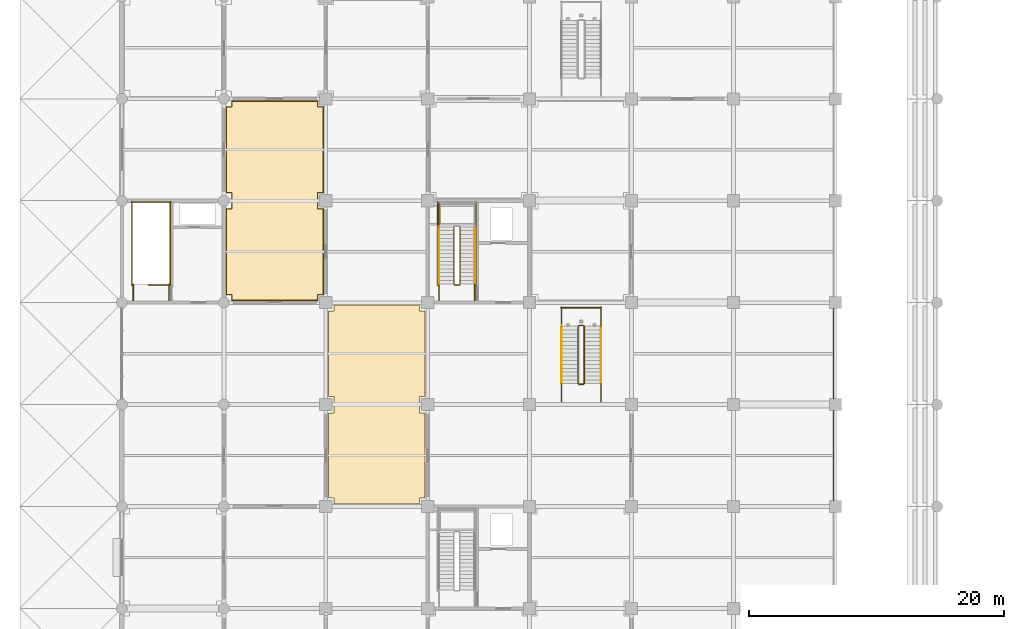
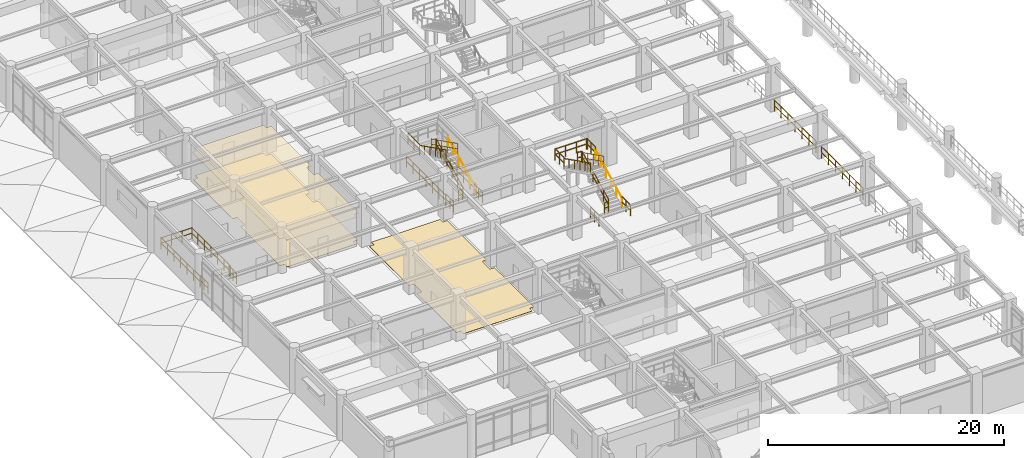
# One storey, part 96 of 109: 29 railings, 3 coverings.
"""IFC4 building model written with IfcOpenShell, lengths in metres."""

from ifc_helpers import new_model, si_unit, direction, frame, origin, origin_2d, place, context, subcontext, project, spatial, polyline, circle, outline, extrude, material, layer, layer_set, type_object, element, save


model = new_model("IFC4")

# Units and contexts
model_context = context("Model", 3, precision=1e-05, world=origin(), true_north=direction((0.0, 1.0)))
body_context = subcontext(model_context, "Body", "Model", "MODEL_VIEW")
ifc_project = project(units=[si_unit("LENGTHUNIT", "METRE"), si_unit("AREAUNIT", "SQUARE_METRE"), si_unit("VOLUMEUNIT", "CUBIC_METRE"), si_unit("PLANEANGLEUNIT", "RADIAN"), si_unit("MASSUNIT", "GRAM", prefix="KILO")], contexts=[model_context])

# Site, building, storey
site_placement = place(None, origin())
site = spatial("IfcSite", under=ifc_project, at=site_placement, CompositionType="ELEMENT")
building_placement = place(site_placement, origin())
building = spatial("IfcBuilding", under=site, at=building_placement, Name="Haebicheon Civic Stadium", CompositionType="ELEMENT")
storey_placement = place(building_placement, frame((0.0, 0.0, 9.60009765625)))
storey = spatial("IfcBuildingStorey", under=building, at=storey_placement, Name="L03", CompositionType="ELEMENT", Elevation=9.60009765625)

# Coverings
ifc_material_1 = material(Name="Perforated mineral-fibre acoustic board", Category="gypsum")
ifc_layer_1 = layer(ifc_material_1, 0.0400390625, Name="Perforated mineral-fibre acoustic board")
ifc_layer_set_1 = layer_set([ifc_layer_1], Name="Perforated mineral-fibre acoustic board")
covering_type_1 = type_object("IfcCoveringType", Name="COV-CLG-AC", PredefinedType="CEILING", material=ifc_layer_set_1)
covering_1_placement = place(storey_placement, frame((0.0, 0.0, 2.809814453125)))
element("IfcCovering", 1, at=covering_1_placement, inside=storey, type_object=covering_type_1, material=ifc_layer_set_1, Name="L03 West Boulevard Viewing Gallery acoustic ceiling", PredefinedType="CEILING", context=body_context, shape_type="SweptSolid", body=[
    extrude(outline(polyline([(16.594970703125, 80.14501953125), (16.594970703125, 80.594970703125), (16.14501953125, 80.594970703125), (16.14501953125, 87.405029296875), (16.594970703125, 87.405029296875), (16.594970703125, 88.594970703125), (16.14501953125, 88.594970703125), (16.14501953125, 95.405029296875), (16.594970703125, 95.405029296875), (16.594970703125, 95.85498046875), (23.405029296875, 95.85498046875), (23.405029296875, 95.405029296875), (23.85498046875, 95.405029296875), (23.85498046875, 88.594970703125), (23.405029296875, 88.594970703125), (23.405029296875, 87.405029296875), (23.85498046875, 87.405029296875), (23.85498046875, 80.594970703125), (23.405029296875, 80.594970703125), (23.405029296875, 80.14501953125), (16.594970703125, 80.14501953125)])), origin(), (0.0, 0.0, 1.0), 0.0400390625),
])
ifc_material_2 = material(Name="Quartz epoxy resin mortar", Category="concrete")
ifc_layer_2 = layer(ifc_material_2, 0.030029296875, Name="Quartz epoxy resin mortar")
ifc_layer_set_2 = layer_set([ifc_layer_2], Name="Quartz epoxy resin mortar")
covering_type_2 = type_object("IfcCoveringType", Name="COV-FLR-EPX", PredefinedType="FLOORING", material=ifc_layer_set_2)
covering_2_placement = place(storey_placement, origin())
element("IfcCovering", 2, at=covering_2_placement, inside=storey, type_object=covering_type_2, material=ifc_layer_set_2, Name="L03 Club Beverage Bar non-slip floor finish", PredefinedType="FLOORING", context=body_context, shape_type="SweptSolid", body=[
    extrude(outline(polyline([(24.64990234375, 64.199951171875), (24.64990234375, 64.64990234375), (24.199951171875, 64.64990234375), (24.199951171875, 71.35009765625), (24.64990234375, 71.35009765625), (24.64990234375, 72.64990234375), (24.199951171875, 72.64990234375), (24.199951171875, 79.35009765625), (24.64990234375, 79.35009765625), (24.64990234375, 79.800048828125), (31.35009765625, 79.800048828125), (31.35009765625, 79.35009765625), (31.800048828125, 79.35009765625), (31.800048828125, 72.64990234375), (31.35009765625, 72.64990234375), (31.35009765625, 71.35009765625), (31.800048828125, 71.35009765625), (31.800048828125, 64.64990234375), (31.35009765625, 64.64990234375), (31.35009765625, 64.199951171875), (24.64990234375, 64.199951171875)])), origin(), (0.0, 0.0, 1.0), 0.02978515625),
])
covering_3_placement = place(storey_placement, origin())
element("IfcCovering", 3, at=covering_3_placement, inside=storey, type_object=covering_type_2, material=ifc_layer_set_2, Name="L03 West Boulevard Viewing Gallery non-slip floor finish", PredefinedType="FLOORING", context=body_context, shape_type="SweptSolid", body=[
    extrude(outline(polyline([(16.64990234375, 80.199951171875), (16.64990234375, 80.64990234375), (16.199951171875, 80.64990234375), (16.199951171875, 87.35009765625), (16.64990234375, 87.35009765625), (16.64990234375, 88.64990234375), (16.199951171875, 88.64990234375), (16.199951171875, 95.35009765625), (16.64990234375, 95.35009765625), (16.64990234375, 95.800048828125), (23.35009765625, 95.800048828125), (23.35009765625, 95.35009765625), (23.800048828125, 95.35009765625), (23.800048828125, 88.64990234375), (23.35009765625, 88.64990234375), (23.35009765625, 87.35009765625), (23.800048828125, 87.35009765625), (23.800048828125, 80.64990234375), (23.35009765625, 80.64990234375), (23.35009765625, 80.199951171875), (16.64990234375, 80.199951171875)])), origin(), (0.0, 0.0, 1.0), 0.02978515625),
])

# Railings
ifc_material_3 = material(Name="Stainless steel 316 and laminated glass", Category="steel")
railing_type_1 = type_object("IfcRailingType", Name="RL-BAL-1200", PredefinedType="BALUSTRADE", material=ifc_material_3)
for number, where, name in (
    (4, (63.860107421875, 64.47509765625, 0.0), "L03 concourse bowl-edge balustrade 045"),
    (5, (63.860107421875, 72.47509765625, 0.0), "L03 concourse bowl-edge balustrade 046"),
):
    element("IfcRailing", number, at=place(storey_placement, frame(where)), inside=storey, type_object=railing_type_1, material=ifc_material_3, Name=name, PredefinedType="BALUSTRADE", context=body_context, shape_type="SweptSolid", body=[
        extrude(circle(Radius=0.02392578125, at=origin_2d()), frame((0.0, 0.0, 1.17578125), z_axis=(0.0, 1.0, 0.0), x_axis=(-1.0, 0.0, 0.0)), (0.0, 0.0, 1.0), 7.0498046875),
        extrude(circle(Radius=0.02392578125, at=origin_2d()), frame((0.0, 0.0, 0.60009765625), z_axis=(0.0, 1.0, 0.0), x_axis=(-1.0, 0.0, 0.0)), (0.0, 0.0, 1.0), 7.0498046875),
        extrude(circle(Radius=0.02099609375, at=origin_2d()), origin(), (0.0, 0.0, 1.0), 1.15185546875),
        extrude(circle(Radius=0.02099609375, at=origin_2d()), frame((0.0, 1.175048828125, 0.0)), (0.0, 0.0, 1.0), 1.15185546875),
        extrude(circle(Radius=0.02099609375, at=origin_2d()), frame((0.0, 2.349853515625, 0.0)), (0.0, 0.0, 1.0), 1.15185546875),
        extrude(circle(Radius=0.02099609375, at=origin_2d()), frame((0.0, 3.52490234375, 0.0)), (0.0, 0.0, 1.0), 1.15185546875),
        extrude(circle(Radius=0.02099609375, at=origin_2d()), frame((0.0, 4.699951171875, 0.0)), (0.0, 0.0, 1.0), 1.15185546875),
        extrude(circle(Radius=0.02099609375, at=origin_2d()), frame((0.0, 5.874755859375, 0.0)), (0.0, 0.0, 1.0), 1.15185546875),
        extrude(circle(Radius=0.02099609375, at=origin_2d()), frame((0.0, 7.0498046875, 0.0)), (0.0, 0.0, 1.0), 1.15185546875),
    ])
ifc_material_4 = material(Name="Galvanised painted steel SM355", Category="steel")
railing_type_2 = type_object("IfcRailingType", Name="RL-GRD-1150", PredefinedType="GUARDRAIL", material=ifc_material_4)
railing_1_placement = place(storey_placement, frame((34.530029296875, 81.449951171875, 0.14990234375)))
element("IfcRailing", 6, at=railing_1_placement, inside=storey, type_object=railing_type_2, material=ifc_material_4, Name="L03 ST-03 stair guard 1", PredefinedType="GUARDRAIL", context=body_context, shape_type="SweptSolid", body=[
    extrude(circle(Radius=0.02392578125, at=origin_2d()), frame((0.0, 0.0, 1.1259765625), z_axis=(0.0, 0.894427191, 0.4472135955), x_axis=(-1.0, 0.0, 0.0)), (0.0, 0.0, 1.0), 5.03125),
    extrude(circle(Radius=0.02392578125, at=origin_2d()), frame((0.0, 0.0, 0.574951171875), z_axis=(0.0, 0.894427191, 0.4472135955), x_axis=(-1.0, 0.0, 0.0)), (0.0, 0.0, 1.0), 5.03125),
    extrude(circle(Radius=0.02099609375, at=origin_2d()), origin(), (0.0, 0.0, 1.0), 1.101806640625),
    extrude(circle(Radius=0.02099609375, at=origin_2d()), frame((0.0, 0.89990234375, 0.449951171875)), (0.0, 0.0, 1.0), 1.101806640625),
    extrude(circle(Radius=0.02099609375, at=origin_2d()), frame((0.0, 1.800048828125, 0.89990234375)), (0.0, 0.0, 1.0), 1.101806640625),
    extrude(circle(Radius=0.02099609375, at=origin_2d()), frame((0.0, 2.699951171875, 1.35009765625)), (0.0, 0.0, 1.0), 1.101806640625),
    extrude(circle(Radius=0.02099609375, at=origin_2d()), frame((0.0, 3.60009765625, 1.800048828125)), (0.0, 0.0, 1.0), 1.101806640625),
    extrude(circle(Radius=0.02099609375, at=origin_2d()), frame((0.0, 4.5, 2.25)), (0.0, 0.0, 1.0), 1.101806640625),
])
railing_2_placement = place(storey_placement, frame((32.889892578125, 85.949951171875, 2.39990234375)))
element("IfcRailing", 7, at=railing_2_placement, inside=storey, type_object=railing_type_2, material=ifc_material_4, Name="L03 ST-03 stair guard 4", PredefinedType="GUARDRAIL", context=body_context, shape_type="SweptSolid", body=[
    extrude(circle(Radius=0.02392578125, at=origin_2d()), frame((0.0, 0.0, 1.1259765625), z_axis=(0.0, 1.0, 0.0), x_axis=(-1.0, 0.0, 0.0)), (0.0, 0.0, 1.0), 1.89013671875),
    extrude(circle(Radius=0.02392578125, at=origin_2d()), frame((0.0, 0.0, 0.574951171875), z_axis=(0.0, 1.0, 0.0), x_axis=(-1.0, 0.0, 0.0)), (0.0, 0.0, 1.0), 1.89013671875),
    extrude(circle(Radius=0.02099609375, at=origin_2d()), origin(), (0.0, 0.0, 1.0), 1.101806640625),
    extrude(circle(Radius=0.02099609375, at=origin_2d()), frame((0.0, 0.945068359375, 0.0)), (0.0, 0.0, 1.0), 1.101806640625),
    extrude(circle(Radius=0.02099609375, at=origin_2d()), frame((0.0, 1.89013671875, 0.0)), (0.0, 0.0, 1.0), 1.101806640625),
])
railing_3_placement = place(storey_placement, frame((34.050048828125, 85.949951171875, 2.5498046875)))
element("IfcRailing", 8, at=railing_3_placement, inside=storey, type_object=railing_type_2, material=ifc_material_4, Name="L03 ST-03 stair guard 6", PredefinedType="GUARDRAIL", context=body_context, shape_type="SweptSolid", body=[
    extrude(circle(Radius=0.02392578125, at=origin_2d()), frame((0.0, 0.0, 1.1259765625), z_axis=(0.0, -0.894427191, 0.4472135955), x_axis=(1.0, 0.0, 0.0)), (0.0, 0.0, 1.0), 5.03125),
    extrude(circle(Radius=0.02392578125, at=origin_2d()), frame((0.0, 0.0, 0.574951171875), z_axis=(0.0, -0.894427191, 0.4472135955), x_axis=(1.0, 0.0, 0.0)), (0.0, 0.0, 1.0), 5.03125),
    extrude(circle(Radius=0.02099609375, at=origin_2d()), origin(), (0.0, 0.0, 1.0), 1.101806640625),
    extrude(circle(Radius=0.02099609375, at=origin_2d()), frame((0.0, -0.89990234375, 0.449951171875)), (0.0, 0.0, 1.0), 1.101806640625),
    extrude(circle(Radius=0.02099609375, at=origin_2d()), frame((0.0, -1.800048828125, 0.89990234375)), (0.0, 0.0, 1.0), 1.101806640625),
    extrude(circle(Radius=0.02099609375, at=origin_2d()), frame((0.0, -2.699951171875, 1.35009765625)), (0.0, 0.0, 1.0), 1.101806640625),
    extrude(circle(Radius=0.02099609375, at=origin_2d()), frame((0.0, -3.60009765625, 1.800048828125)), (0.0, 0.0, 1.0), 1.101806640625),
    extrude(circle(Radius=0.02099609375, at=origin_2d()), frame((0.0, -4.5, 2.25)), (0.0, 0.0, 1.0), 1.101806640625),
])
railing_4_placement = place(storey_placement, frame((34.47998046875, 81.39990234375, 0.0)))
element("IfcRailing", 9, at=railing_4_placement, inside=storey, type_object=railing_type_2, material=ifc_material_4, Name="L03 ST-03 stair guard 7", PredefinedType="GUARDRAIL", context=body_context, shape_type="SweptSolid", body=[
    extrude(circle(Radius=0.02392578125, at=origin_2d()), frame((0.0, 0.0, 1.1259765625), z_axis=(-1.0, 0.0, 0.0), x_axis=(0.0, -1.0, 0.0)), (0.0, 0.0, 1.0), 0.3798828125),
    extrude(circle(Radius=0.02392578125, at=origin_2d()), frame((0.0, 0.0, 0.574951171875), z_axis=(-1.0, 0.0, 0.0), x_axis=(0.0, -1.0, 0.0)), (0.0, 0.0, 1.0), 0.3798828125),
    extrude(circle(Radius=0.02099609375, at=origin_2d()), origin(), (0.0, 0.0, 1.0), 1.101806640625),
    extrude(circle(Radius=0.02099609375, at=origin_2d()), frame((-0.3798828125, 0.0, 0.0)), (0.0, 0.0, 1.0), 1.101806640625),
])
for number, where, name in (
    (10, (35.68994140625, 80.159912109375, 0.0), "L03 ST-03 stair guard 8"),
    (11, (32.889892578125, 80.159912109375, 0.0), "L03 ST-03 stair guard 9"),
):
    element("IfcRailing", number, at=place(storey_placement, frame(where)), inside=storey, type_object=railing_type_2, material=ifc_material_4, Name=name, PredefinedType="GUARDRAIL", context=body_context, shape_type="SweptSolid", body=[
        extrude(circle(Radius=0.02392578125, at=origin_2d()), frame((0.0, 0.0, 1.1259765625), z_axis=(0.0, 1.0, 0.0), x_axis=(-1.0, 0.0, 0.0)), (0.0, 0.0, 1.0), 1.2900390625),
        extrude(circle(Radius=0.02392578125, at=origin_2d()), frame((0.0, 0.0, 0.574951171875), z_axis=(0.0, 1.0, 0.0), x_axis=(-1.0, 0.0, 0.0)), (0.0, 0.0, 1.0), 1.2900390625),
        extrude(circle(Radius=0.02099609375, at=origin_2d()), origin(), (0.0, 0.0, 1.0), 1.101806640625),
        extrude(circle(Radius=0.02099609375, at=origin_2d()), frame((0.0, 0.64501953125, 0.0)), (0.0, 0.0, 1.0), 1.101806640625),
        extrude(circle(Radius=0.02099609375, at=origin_2d()), frame((0.0, 1.2900390625, 0.0)), (0.0, 0.0, 1.0), 1.101806640625),
    ])
for number, where, name in (
    (12, (35.7900390625, 81.35009765625, 0.0), "L03 ST-03 stair guard 10"),
    (13, (32.7900390625, 81.35009765625, 0.0), "L03 ST-03 stair guard 11"),
):
    element("IfcRailing", number, at=place(storey_placement, frame(where)), inside=storey, type_object=railing_type_2, material=ifc_material_4, Name=name, PredefinedType="GUARDRAIL", context=body_context, shape_type="SweptSolid", body=[
        extrude(circle(Radius=0.02392578125, at=origin_2d()), frame((0.0, 0.0, 1.1259765625), z_axis=(0.0, 1.0, 0.0), x_axis=(-1.0, 0.0, 0.0)), (0.0, 0.0, 1.0), 6.58984375),
        extrude(circle(Radius=0.02392578125, at=origin_2d()), frame((0.0, 0.0, 0.574951171875), z_axis=(0.0, 1.0, 0.0), x_axis=(-1.0, 0.0, 0.0)), (0.0, 0.0, 1.0), 6.58984375),
        extrude(circle(Radius=0.02099609375, at=origin_2d()), origin(), (0.0, 0.0, 1.0), 1.101806640625),
        extrude(circle(Radius=0.02099609375, at=origin_2d()), frame((0.0, 1.098388671875, 0.0)), (0.0, 0.0, 1.0), 1.101806640625),
        extrude(circle(Radius=0.02099609375, at=origin_2d()), frame((0.0, 2.196533203125, 0.0)), (0.0, 0.0, 1.0), 1.101806640625),
        extrude(circle(Radius=0.02099609375, at=origin_2d()), frame((0.0, 3.294921875, 0.0)), (0.0, 0.0, 1.0), 1.101806640625),
        extrude(circle(Radius=0.02099609375, at=origin_2d()), frame((0.0, 4.393310546875, 0.0)), (0.0, 0.0, 1.0), 1.101806640625),
        extrude(circle(Radius=0.02099609375, at=origin_2d()), frame((0.0, 5.491455078125, 0.0)), (0.0, 0.0, 1.0), 1.101806640625),
        extrude(circle(Radius=0.02099609375, at=origin_2d()), frame((0.0, 6.58984375, 0.0)), (0.0, 0.0, 1.0), 1.101806640625),
    ])
railing_5_placement = place(storey_placement, frame((11.739990234375, 81.39990234375, 0.0)))
element("IfcRailing", 14, at=railing_5_placement, inside=storey, type_object=railing_type_2, material=ifc_material_4, Name="L03 ST-15 top well guard 1", PredefinedType="GUARDRAIL", context=body_context, shape_type="SweptSolid", body=[
    extrude(circle(Radius=0.02392578125, at=origin_2d()), frame((0.0, 0.0, 1.1259765625), z_axis=(-1.0, 0.0, 0.0), x_axis=(0.0, -1.0, 0.0)), (0.0, 0.0, 1.0), 1.639892578125),
    extrude(circle(Radius=0.02392578125, at=origin_2d()), frame((0.0, 0.0, 0.574951171875), z_axis=(-1.0, 0.0, 0.0), x_axis=(0.0, -1.0, 0.0)), (0.0, 0.0, 1.0), 1.639892578125),
    extrude(circle(Radius=0.02099609375, at=origin_2d()), origin(), (0.0, 0.0, 1.0), 1.101806640625),
    extrude(circle(Radius=0.02099609375, at=origin_2d()), frame((-0.81982421875, 0.0, 0.0)), (0.0, 0.0, 1.0), 1.101806640625),
    extrude(circle(Radius=0.02099609375, at=origin_2d()), frame((-1.639892578125, 0.0, 0.0)), (0.0, 0.0, 1.0), 1.101806640625),
])
for number, where, name in (
    (15, (11.7900390625, 81.35009765625, 0.0), "L03 ST-15 top well guard 2"),
    (16, (8.7900390625, 81.35009765625, 0.0), "L03 ST-15 top well guard 3"),
):
    element("IfcRailing", number, at=place(storey_placement, frame(where)), inside=storey, type_object=railing_type_2, material=ifc_material_4, Name=name, PredefinedType="GUARDRAIL", context=body_context, shape_type="SweptSolid", body=[
        extrude(circle(Radius=0.02392578125, at=origin_2d()), frame((0.0, 0.0, 1.1259765625), z_axis=(0.0, 1.0, 0.0), x_axis=(-1.0, 0.0, 0.0)), (0.0, 0.0, 1.0), 6.58984375),
        extrude(circle(Radius=0.02392578125, at=origin_2d()), frame((0.0, 0.0, 0.574951171875), z_axis=(0.0, 1.0, 0.0), x_axis=(-1.0, 0.0, 0.0)), (0.0, 0.0, 1.0), 6.58984375),
        extrude(circle(Radius=0.02099609375, at=origin_2d()), origin(), (0.0, 0.0, 1.0), 1.101806640625),
        extrude(circle(Radius=0.02099609375, at=origin_2d()), frame((0.0, 1.098388671875, 0.0)), (0.0, 0.0, 1.0), 1.101806640625),
        extrude(circle(Radius=0.02099609375, at=origin_2d()), frame((0.0, 2.196533203125, 0.0)), (0.0, 0.0, 1.0), 1.101806640625),
        extrude(circle(Radius=0.02099609375, at=origin_2d()), frame((0.0, 3.294921875, 0.0)), (0.0, 0.0, 1.0), 1.101806640625),
        extrude(circle(Radius=0.02099609375, at=origin_2d()), frame((0.0, 4.393310546875, 0.0)), (0.0, 0.0, 1.0), 1.101806640625),
        extrude(circle(Radius=0.02099609375, at=origin_2d()), frame((0.0, 5.491455078125, 0.0)), (0.0, 0.0, 1.0), 1.101806640625),
        extrude(circle(Radius=0.02099609375, at=origin_2d()), frame((0.0, 6.58984375, 0.0)), (0.0, 0.0, 1.0), 1.101806640625),
    ])
railing_6_placement = place(storey_placement, frame((11.840087890625, 87.889892578125, 0.0)))
element("IfcRailing", 17, at=railing_6_placement, inside=storey, type_object=railing_type_2, material=ifc_material_4, Name="L03 ST-15 top well guard 4", PredefinedType="GUARDRAIL", context=body_context, shape_type="SweptSolid", body=[
    extrude(circle(Radius=0.02392578125, at=origin_2d()), frame((0.0, 0.0, 1.1259765625), z_axis=(-1.0, 0.0, 0.0), x_axis=(0.0, -1.0, 0.0)), (0.0, 0.0, 1.0), 3.10009765625),
    extrude(circle(Radius=0.02392578125, at=origin_2d()), frame((0.0, 0.0, 0.574951171875), z_axis=(-1.0, 0.0, 0.0), x_axis=(0.0, -1.0, 0.0)), (0.0, 0.0, 1.0), 3.10009765625),
    extrude(circle(Radius=0.02099609375, at=origin_2d()), origin(), (0.0, 0.0, 1.0), 1.101806640625),
    extrude(circle(Radius=0.02099609375, at=origin_2d()), frame((-1.033447265625, 0.0, 0.0)), (0.0, 0.0, 1.0), 1.101806640625),
    extrude(circle(Radius=0.02099609375, at=origin_2d()), frame((-2.066650390625, 0.0, 0.0)), (0.0, 0.0, 1.0), 1.101806640625),
    extrude(circle(Radius=0.02099609375, at=origin_2d()), frame((-3.10009765625, 0.0, 0.0)), (0.0, 0.0, 1.0), 1.101806640625),
])
for number, where, name in (
    (18, (11.68994140625, 80.159912109375, 0.0), "L03 ST-15 top well guard 5"),
    (19, (8.889892578125, 80.159912109375, 0.0), "L03 ST-15 top well guard 6"),
):
    element("IfcRailing", number, at=place(storey_placement, frame(where)), inside=storey, type_object=railing_type_2, material=ifc_material_4, Name=name, PredefinedType="GUARDRAIL", context=body_context, shape_type="SweptSolid", body=[
        extrude(circle(Radius=0.02392578125, at=origin_2d()), frame((0.0, 0.0, 1.1259765625), z_axis=(0.0, 1.0, 0.0), x_axis=(-1.0, 0.0, 0.0)), (0.0, 0.0, 1.0), 1.2900390625),
        extrude(circle(Radius=0.02392578125, at=origin_2d()), frame((0.0, 0.0, 0.574951171875), z_axis=(0.0, 1.0, 0.0), x_axis=(-1.0, 0.0, 0.0)), (0.0, 0.0, 1.0), 1.2900390625),
        extrude(circle(Radius=0.02099609375, at=origin_2d()), origin(), (0.0, 0.0, 1.0), 1.101806640625),
        extrude(circle(Radius=0.02099609375, at=origin_2d()), frame((0.0, 0.64501953125, 0.0)), (0.0, 0.0, 1.0), 1.101806640625),
        extrude(circle(Radius=0.02099609375, at=origin_2d()), frame((0.0, 1.2900390625, 0.0)), (0.0, 0.0, 1.0), 1.101806640625),
    ])
railing_7_placement = place(storey_placement, frame((44.2900390625, 73.64990234375, 0.14990234375)))
element("IfcRailing", 20, at=railing_7_placement, inside=storey, type_object=railing_type_2, material=ifc_material_4, Name="L03 VM-04 stair guard 1", PredefinedType="GUARDRAIL", context=body_context, shape_type="SweptSolid", body=[
    extrude(circle(Radius=0.02392578125, at=origin_2d()), frame((0.0, 0.0, 1.1259765625), z_axis=(0.0, 0.894427191, 0.4472135955), x_axis=(-1.0, 0.0, 0.0)), (0.0, 0.0, 1.0), 5.03125),
    extrude(circle(Radius=0.02392578125, at=origin_2d()), frame((0.0, 0.0, 0.574951171875), z_axis=(0.0, 0.894427191, 0.4472135955), x_axis=(-1.0, 0.0, 0.0)), (0.0, 0.0, 1.0), 5.03125),
    extrude(circle(Radius=0.02099609375, at=origin_2d()), origin(), (0.0, 0.0, 1.0), 1.101806640625),
    extrude(circle(Radius=0.02099609375, at=origin_2d()), frame((0.0, 0.89990234375, 0.449951171875)), (0.0, 0.0, 1.0), 1.101806640625),
    extrude(circle(Radius=0.02099609375, at=origin_2d()), frame((0.0, 1.800048828125, 0.89990234375)), (0.0, 0.0, 1.0), 1.101806640625),
    extrude(circle(Radius=0.02099609375, at=origin_2d()), frame((0.0, 2.699951171875, 1.35009765625)), (0.0, 0.0, 1.0), 1.101806640625),
    extrude(circle(Radius=0.02099609375, at=origin_2d()), frame((0.0, 3.60009765625, 1.800048828125)), (0.0, 0.0, 1.0), 1.101806640625),
    extrude(circle(Radius=0.02099609375, at=origin_2d()), frame((0.0, 4.5, 2.25)), (0.0, 0.0, 1.0), 1.101806640625),
])
railing_8_placement = place(storey_placement, frame((44.239990234375, 78.199951171875, 2.39990234375)))
element("IfcRailing", 21, at=railing_8_placement, inside=storey, type_object=railing_type_2, material=ifc_material_4, Name="L03 VM-04 stair guard 2", PredefinedType="GUARDRAIL", context=body_context, shape_type="SweptSolid", body=[
    extrude(circle(Radius=0.02392578125, at=origin_2d()), frame((0.0, 0.0, 1.1259765625), z_axis=(-1.0, 0.0, 0.0), x_axis=(0.0, -1.0, 0.0)), (0.0, 0.0, 1.0), 0.3798828125),
    extrude(circle(Radius=0.02392578125, at=origin_2d()), frame((0.0, 0.0, 0.574951171875), z_axis=(-1.0, 0.0, 0.0), x_axis=(0.0, -1.0, 0.0)), (0.0, 0.0, 1.0), 0.3798828125),
    extrude(circle(Radius=0.02099609375, at=origin_2d()), origin(), (0.0, 0.0, 1.0), 1.101806640625),
    extrude(circle(Radius=0.02099609375, at=origin_2d()), frame((-0.3798828125, 0.0, 0.0)), (0.0, 0.0, 1.0), 1.101806640625),
])
for number, where, name in (
    (22, (45.590087890625, 78.14990234375, 2.39990234375), "L03 VM-04 stair guard 3"),
    (23, (42.510009765625, 78.14990234375, 2.39990234375), "L03 VM-04 stair guard 4"),
):
    element("IfcRailing", number, at=place(storey_placement, frame(where)), inside=storey, type_object=railing_type_2, material=ifc_material_4, Name=name, PredefinedType="GUARDRAIL", context=body_context, shape_type="SweptSolid", body=[
        extrude(circle(Radius=0.02392578125, at=origin_2d()), frame((0.0, 0.0, 1.1259765625), z_axis=(0.0, 1.0, 0.0), x_axis=(-1.0, 0.0, 0.0)), (0.0, 0.0, 1.0), 1.5),
        extrude(circle(Radius=0.02392578125, at=origin_2d()), frame((0.0, 0.0, 0.574951171875), z_axis=(0.0, 1.0, 0.0), x_axis=(-1.0, 0.0, 0.0)), (0.0, 0.0, 1.0), 1.5),
        extrude(circle(Radius=0.02099609375, at=origin_2d()), origin(), (0.0, 0.0, 1.0), 1.101806640625),
        extrude(circle(Radius=0.02099609375, at=origin_2d()), frame((0.0, 0.75, 0.0)), (0.0, 0.0, 1.0), 1.101806640625),
        extrude(circle(Radius=0.02099609375, at=origin_2d()), frame((0.0, 1.5, 0.0)), (0.0, 0.0, 1.0), 1.101806640625),
    ])
railing_9_placement = place(storey_placement, frame((45.639892578125, 79.60009765625, 2.39990234375)))
element("IfcRailing", 24, at=railing_9_placement, inside=storey, type_object=railing_type_2, material=ifc_material_4, Name="L03 VM-04 stair guard 5", PredefinedType="GUARDRAIL", context=body_context, shape_type="SweptSolid", body=[
    extrude(circle(Radius=0.02392578125, at=origin_2d()), frame((0.0, 0.0, 1.1259765625), z_axis=(-1.0, 0.0, 0.0), x_axis=(0.0, -1.0, 0.0)), (0.0, 0.0, 1.0), 3.179931640625),
    extrude(circle(Radius=0.02392578125, at=origin_2d()), frame((0.0, 0.0, 0.574951171875), z_axis=(-1.0, 0.0, 0.0), x_axis=(0.0, -1.0, 0.0)), (0.0, 0.0, 1.0), 3.179931640625),
    extrude(circle(Radius=0.02099609375, at=origin_2d()), origin(), (0.0, 0.0, 1.0), 1.101806640625),
    extrude(circle(Radius=0.02099609375, at=origin_2d()), frame((-1.06005859375, 0.0, 0.0)), (0.0, 0.0, 1.0), 1.101806640625),
    extrude(circle(Radius=0.02099609375, at=origin_2d()), frame((-2.119873046875, 0.0, 0.0)), (0.0, 0.0, 1.0), 1.101806640625),
    extrude(circle(Radius=0.02099609375, at=origin_2d()), frame((-3.179931640625, 0.0, 0.0)), (0.0, 0.0, 1.0), 1.101806640625),
])
railing_10_placement = place(storey_placement, frame((43.81005859375, 78.14990234375, 2.5498046875)))
element("IfcRailing", 25, at=railing_10_placement, inside=storey, type_object=railing_type_2, material=ifc_material_4, Name="L03 VM-04 stair guard 6", PredefinedType="GUARDRAIL", context=body_context, shape_type="SweptSolid", body=[
    extrude(circle(Radius=0.02392578125, at=origin_2d()), frame((0.0, 0.0, 1.1259765625), z_axis=(0.0, -0.894427191, 0.4472135955), x_axis=(1.0, 0.0, 0.0)), (0.0, 0.0, 1.0), 5.03125),
    extrude(circle(Radius=0.02392578125, at=origin_2d()), frame((0.0, 0.0, 0.574951171875), z_axis=(0.0, -0.894427191, 0.4472135955), x_axis=(1.0, 0.0, 0.0)), (0.0, 0.0, 1.0), 5.03125),
    extrude(circle(Radius=0.02099609375, at=origin_2d()), origin(), (0.0, 0.0, 1.0), 1.101806640625),
    extrude(circle(Radius=0.02099609375, at=origin_2d()), frame((0.0, -0.89990234375, 0.449951171875)), (0.0, 0.0, 1.0), 1.101806640625),
    extrude(circle(Radius=0.02099609375, at=origin_2d()), frame((0.0, -1.800048828125, 0.89990234375)), (0.0, 0.0, 1.0), 1.101806640625),
    extrude(circle(Radius=0.02099609375, at=origin_2d()), frame((0.0, -2.699951171875, 1.35009765625)), (0.0, 0.0, 1.0), 1.101806640625),
    extrude(circle(Radius=0.02099609375, at=origin_2d()), frame((0.0, -3.60009765625, 1.800048828125)), (0.0, 0.0, 1.0), 1.101806640625),
    extrude(circle(Radius=0.02099609375, at=origin_2d()), frame((0.0, -4.5, 2.25)), (0.0, 0.0, 1.0), 1.101806640625),
])
railing_11_placement = place(storey_placement, frame((44.239990234375, 73.60009765625, 0.0)))
element("IfcRailing", 26, at=railing_11_placement, inside=storey, type_object=railing_type_2, material=ifc_material_4, Name="L03 VM-04 stair guard 7", PredefinedType="GUARDRAIL", context=body_context, shape_type="SweptSolid", body=[
    extrude(circle(Radius=0.02392578125, at=origin_2d()), frame((0.0, 0.0, 1.1259765625), z_axis=(-1.0, 0.0, 0.0), x_axis=(0.0, -1.0, 0.0)), (0.0, 0.0, 1.0), 0.3798828125),
    extrude(circle(Radius=0.02392578125, at=origin_2d()), frame((0.0, 0.0, 0.574951171875), z_axis=(-1.0, 0.0, 0.0), x_axis=(0.0, -1.0, 0.0)), (0.0, 0.0, 1.0), 0.3798828125),
    extrude(circle(Radius=0.02099609375, at=origin_2d()), origin(), (0.0, 0.0, 1.0), 1.101806640625),
    extrude(circle(Radius=0.02099609375, at=origin_2d()), frame((-0.3798828125, 0.0, 0.0)), (0.0, 0.0, 1.0), 1.101806640625),
])
for number, where, name in (
    (27, (45.590087890625, 72.25, 0.0), "L03 VM-04 stair guard 8"),
    (28, (42.510009765625, 72.25, 0.0), "L03 VM-04 stair guard 9"),
):
    element("IfcRailing", number, at=place(storey_placement, frame(where)), inside=storey, type_object=railing_type_2, material=ifc_material_4, Name=name, PredefinedType="GUARDRAIL", context=body_context, shape_type="SweptSolid", body=[
        extrude(circle(Radius=0.02392578125, at=origin_2d()), frame((0.0, 0.0, 1.1259765625), z_axis=(0.0, 1.0, 0.0), x_axis=(-1.0, 0.0, 0.0)), (0.0, 0.0, 1.0), 1.39990234375),
        extrude(circle(Radius=0.02392578125, at=origin_2d()), frame((0.0, 0.0, 0.574951171875), z_axis=(0.0, 1.0, 0.0), x_axis=(-1.0, 0.0, 0.0)), (0.0, 0.0, 1.0), 1.39990234375),
        extrude(circle(Radius=0.02099609375, at=origin_2d()), origin(), (0.0, 0.0, 1.0), 1.101806640625),
        extrude(circle(Radius=0.02099609375, at=origin_2d()), frame((0.0, 0.699951171875, 0.0)), (0.0, 0.0, 1.0), 1.101806640625),
        extrude(circle(Radius=0.02099609375, at=origin_2d()), frame((0.0, 1.39990234375, 0.0)), (0.0, 0.0, 1.0), 1.101806640625),
    ])
ifc_material_5 = material(Name="Stainless steel 316", Category="steel")
railing_type_3 = type_object("IfcRailingType", Name="RL-HND-900", PredefinedType="HANDRAIL", material=ifc_material_5)
railing_12_placement = place(storey_placement, frame((35.68994140625, 81.449951171875, 0.14990234375)))
element("IfcRailing", 29, at=railing_12_placement, inside=storey, type_object=railing_type_3, material=ifc_material_5, Name="L03 ST-03 stair handrail 1", PredefinedType="HANDRAIL", context=body_context, shape_type="SweptSolid", body=[
    extrude(circle(Radius=0.02392578125, at=origin_2d()), frame((0.0, 0.0, 0.8759765625), z_axis=(0.0, 0.894427191, 0.4472135955), x_axis=(-1.0, 0.0, 0.0)), (0.0, 0.0, 1.0), 5.03125),
    extrude(circle(Radius=0.02099609375, at=origin_2d()), origin(), (0.0, 0.0, 1.0), 0.851806640625),
    extrude(circle(Radius=0.02099609375, at=origin_2d()), frame((0.0, 0.89990234375, 0.449951171875)), (0.0, 0.0, 1.0), 0.851806640625),
    extrude(circle(Radius=0.02099609375, at=origin_2d()), frame((0.0, 1.800048828125, 0.89990234375)), (0.0, 0.0, 1.0), 0.851806640625),
    extrude(circle(Radius=0.02099609375, at=origin_2d()), frame((0.0, 2.699951171875, 1.35009765625)), (0.0, 0.0, 1.0), 0.851806640625),
    extrude(circle(Radius=0.02099609375, at=origin_2d()), frame((0.0, 3.60009765625, 1.800048828125)), (0.0, 0.0, 1.0), 0.851806640625),
    extrude(circle(Radius=0.02099609375, at=origin_2d()), frame((0.0, 4.5, 2.25)), (0.0, 0.0, 1.0), 0.851806640625),
])
railing_13_placement = place(storey_placement, frame((32.889892578125, 85.949951171875, 2.5498046875)))
element("IfcRailing", 30, at=railing_13_placement, inside=storey, type_object=railing_type_3, material=ifc_material_5, Name="L03 ST-03 stair handrail 2", PredefinedType="HANDRAIL", context=body_context, shape_type="SweptSolid", body=[
    extrude(circle(Radius=0.02392578125, at=origin_2d()), frame((0.0, 0.0, 0.8759765625), z_axis=(0.0, -0.894427191, 0.4472135955), x_axis=(1.0, 0.0, 0.0)), (0.0, 0.0, 1.0), 5.03125),
    extrude(circle(Radius=0.02099609375, at=origin_2d()), origin(), (0.0, 0.0, 1.0), 0.851806640625),
    extrude(circle(Radius=0.02099609375, at=origin_2d()), frame((0.0, -0.89990234375, 0.449951171875)), (0.0, 0.0, 1.0), 0.851806640625),
    extrude(circle(Radius=0.02099609375, at=origin_2d()), frame((0.0, -1.800048828125, 0.89990234375)), (0.0, 0.0, 1.0), 0.851806640625),
    extrude(circle(Radius=0.02099609375, at=origin_2d()), frame((0.0, -2.699951171875, 1.35009765625)), (0.0, 0.0, 1.0), 0.851806640625),
    extrude(circle(Radius=0.02099609375, at=origin_2d()), frame((0.0, -3.60009765625, 1.800048828125)), (0.0, 0.0, 1.0), 0.851806640625),
    extrude(circle(Radius=0.02099609375, at=origin_2d()), frame((0.0, -4.5, 2.25)), (0.0, 0.0, 1.0), 0.851806640625),
])
railing_14_placement = place(storey_placement, frame((45.590087890625, 73.64990234375, 0.14990234375)))
element("IfcRailing", 31, at=railing_14_placement, inside=storey, type_object=railing_type_3, material=ifc_material_5, Name="L03 VM-04 stair handrail 1", PredefinedType="HANDRAIL", context=body_context, shape_type="SweptSolid", body=[
    extrude(circle(Radius=0.02392578125, at=origin_2d()), frame((0.0, 0.0, 0.8759765625), z_axis=(0.0, 0.894427191, 0.4472135955), x_axis=(-1.0, 0.0, 0.0)), (0.0, 0.0, 1.0), 5.03125),
    extrude(circle(Radius=0.02099609375, at=origin_2d()), origin(), (0.0, 0.0, 1.0), 0.851806640625),
    extrude(circle(Radius=0.02099609375, at=origin_2d()), frame((0.0, 0.89990234375, 0.449951171875)), (0.0, 0.0, 1.0), 0.851806640625),
    extrude(circle(Radius=0.02099609375, at=origin_2d()), frame((0.0, 1.800048828125, 0.89990234375)), (0.0, 0.0, 1.0), 0.851806640625),
    extrude(circle(Radius=0.02099609375, at=origin_2d()), frame((0.0, 2.699951171875, 1.35009765625)), (0.0, 0.0, 1.0), 0.851806640625),
    extrude(circle(Radius=0.02099609375, at=origin_2d()), frame((0.0, 3.60009765625, 1.800048828125)), (0.0, 0.0, 1.0), 0.851806640625),
    extrude(circle(Radius=0.02099609375, at=origin_2d()), frame((0.0, 4.5, 2.25)), (0.0, 0.0, 1.0), 0.851806640625),
])
railing_15_placement = place(storey_placement, frame((42.510009765625, 78.14990234375, 2.5498046875)))
element("IfcRailing", 32, at=railing_15_placement, inside=storey, type_object=railing_type_3, material=ifc_material_5, Name="L03 VM-04 stair handrail 2", PredefinedType="HANDRAIL", context=body_context, shape_type="SweptSolid", body=[
    extrude(circle(Radius=0.02392578125, at=origin_2d()), frame((0.0, 0.0, 0.8759765625), z_axis=(0.0, -0.894427191, 0.4472135955), x_axis=(1.0, 0.0, 0.0)), (0.0, 0.0, 1.0), 5.03125),
    extrude(circle(Radius=0.02099609375, at=origin_2d()), origin(), (0.0, 0.0, 1.0), 0.851806640625),
    extrude(circle(Radius=0.02099609375, at=origin_2d()), frame((0.0, -0.89990234375, 0.449951171875)), (0.0, 0.0, 1.0), 0.851806640625),
    extrude(circle(Radius=0.02099609375, at=origin_2d()), frame((0.0, -1.800048828125, 0.89990234375)), (0.0, 0.0, 1.0), 0.851806640625),
    extrude(circle(Radius=0.02099609375, at=origin_2d()), frame((0.0, -2.699951171875, 1.35009765625)), (0.0, 0.0, 1.0), 0.851806640625),
    extrude(circle(Radius=0.02099609375, at=origin_2d()), frame((0.0, -3.60009765625, 1.800048828125)), (0.0, 0.0, 1.0), 0.851806640625),
    extrude(circle(Radius=0.02099609375, at=origin_2d()), frame((0.0, -4.5, 2.25)), (0.0, 0.0, 1.0), 0.851806640625),
])

save(model, "model.ifc")
